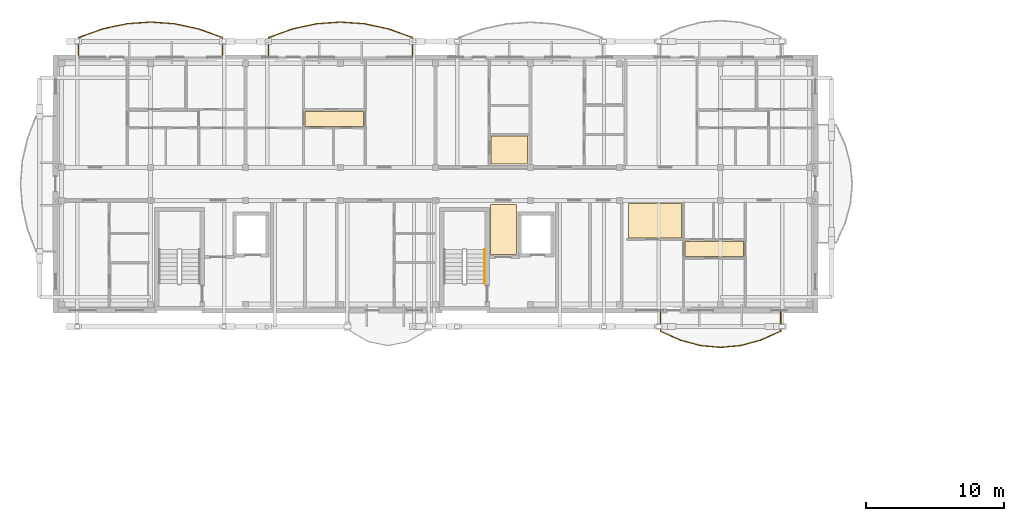
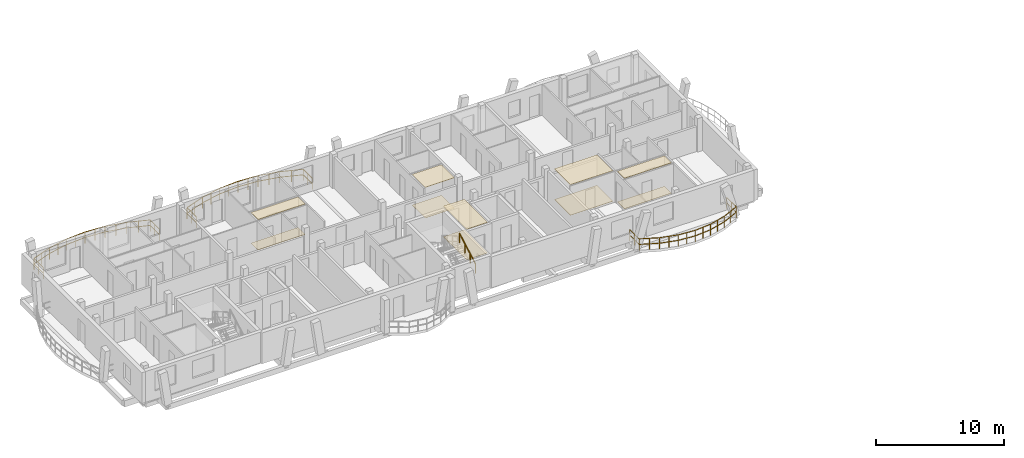
# One storey, part 44 of 52: 10 coverings, 4 railings.
"""IFC4 building model written with IfcOpenShell, lengths in metres."""

from ifc_helpers import new_model, si_unit, direction, frame, origin, origin_2d, place, context, subcontext, project, spatial, polyline, rectangle, outline, extrude, material, layer, layer_set, type_object, element, save


model = new_model("IFC4")

# Units and contexts
model_context = context("Model", 3, precision=1e-05, world=origin(), true_north=direction((0.0, 1.0)))
body_context = subcontext(model_context, "Body", "Model", "MODEL_VIEW")
ifc_project = project(units=[si_unit("LENGTHUNIT", "METRE"), si_unit("AREAUNIT", "SQUARE_METRE"), si_unit("VOLUMEUNIT", "CUBIC_METRE"), si_unit("PLANEANGLEUNIT", "RADIAN"), si_unit("MASSUNIT", "GRAM", prefix="KILO")], contexts=[model_context])

# Site, building, storey
site_placement = place(None, origin())
site = spatial("IfcSite", under=ifc_project, at=site_placement, CompositionType="ELEMENT")
building_placement = place(site_placement, origin())
building = spatial("IfcBuilding", under=site, at=building_placement, Name="Zavelmont Quarter", CompositionType="ELEMENT")
storey_placement = place(building_placement, frame((0.0, 0.0, 14.39990234375)))
storey = spatial("IfcBuildingStorey", under=building, at=storey_placement, Name="L04", CompositionType="ELEMENT", Elevation=14.39990234375)

# Coverings
ifc_material_1 = material(Name="Perforated acoustic gypsum board")
ifc_layer_1 = layer(ifc_material_1, 0.02490234375)
ifc_layer_set_1 = layer_set([ifc_layer_1], Name="Perforated acoustic gypsum board")
covering_type_1 = type_object("IfcCoveringType", Name="CV-CL01", PredefinedType="CEILING", material=ifc_layer_set_1)
covering_1_placement = place(storey_placement, frame((0.0, 0.0, 2.9150390625)))
element("IfcCovering", 1, at=covering_1_placement, inside=storey, type_object=covering_type_1, Name="L04 Lobby Vestibule acoustic ceiling", PredefinedType="CEILING", context=body_context, shape_type="SweptSolid", body=[
    extrude(outline(polyline([(31.580078125, 105.320068359375), (33.469970703125, 105.320068359375), (33.469970703125, 101.679931640625), (31.580078125, 101.679931640625), (31.580078125, 105.320068359375)])), origin(), (0.0, 0.0, 1.0), 0.025146484375),
])
covering_2_placement = place(storey_placement, frame((0.0, 0.0, 2.9150390625)))
element("IfcCovering", 2, at=covering_2_placement, inside=storey, type_object=covering_type_1, Name="L04 Kitchen acoustic ceiling", PredefinedType="CEILING", context=body_context, shape_type="SweptSolid", body=[
    extrude(outline(polyline([(31.6298828125, 110.27001953125), (34.27001953125, 110.27001953125), (34.27001953125, 108.264892578125), (34.235107421875, 108.264892578125), (34.235107421875, 108.22998046875), (31.6298828125, 108.22998046875), (31.6298828125, 110.27001953125)])), origin(), (0.0, 0.0, 1.0), 0.025146484375),
])
ifc_material_2 = material(Name="Slatted European ash acoustic baffle ceiling")
ifc_layer_2 = layer(ifc_material_2, 0.0400390625)
ifc_layer_set_2 = layer_set([ifc_layer_2], Name="Slatted European ash acoustic baffle ceiling")
covering_type_2 = type_object("IfcCoveringType", Name="CV-CL02", PredefinedType="CEILING", material=ifc_layer_set_2)
covering_3_placement = place(storey_placement, frame((0.0, 0.0, 2.900146484375)))
element("IfcCovering", 3, at=covering_3_placement, inside=storey, type_object=covering_type_2, Name="L04 Apartment Hall acoustic ceiling", PredefinedType="CEILING", context=body_context, shape_type="SweptSolid", body=[
    extrude(outline(polyline([(18.1298828125, 112.070068359375), (22.3701171875, 112.070068359375), (22.3701171875, 110.97998046875), (18.1298828125, 110.97998046875), (18.1298828125, 112.070068359375)])), origin(), (0.0, 0.0, 1.0), 0.0400390625),
])
covering_4_placement = place(storey_placement, frame((0.0, 0.0, 2.900146484375)))
element("IfcCovering", 4, at=covering_4_placement, inside=storey, type_object=covering_type_2, Name="L04 Apartment Hall acoustic ceiling", PredefinedType="CEILING", context=body_context, shape_type="SweptSolid", body=[
    extrude(outline(polyline([(45.72998046875, 102.6201171875), (49.969970703125, 102.6201171875), (49.969970703125, 101.530029296875), (45.72998046875, 101.530029296875), (45.72998046875, 102.6201171875)])), origin(), (0.0, 0.0, 1.0), 0.0400390625),
])
ifc_material_3 = material(Name="Moisture-resistant painted gypsum ceiling")
ifc_layer_3 = layer(ifc_material_3, 0.02001953125)
ifc_layer_set_3 = layer_set([ifc_layer_3], Name="Moisture-resistant painted gypsum ceiling")
covering_type_3 = type_object("IfcCoveringType", Name="CV-CL04", PredefinedType="CEILING", material=ifc_layer_set_3)
covering_5_placement = place(storey_placement, frame((0.0, 0.0, 2.920166015625)))
element("IfcCovering", 5, at=covering_5_placement, inside=storey, type_object=covering_type_3, Name="L04 Bathroom acoustic ceiling", PredefinedType="CEILING", context=body_context, shape_type="SweptSolid", body=[
    extrude(outline(polyline([(41.6298828125, 105.3701171875), (45.469970703125, 105.3701171875), (45.469970703125, 102.8798828125), (41.6298828125, 102.8798828125), (41.6298828125, 105.3701171875)])), origin(), (0.0, 0.0, 1.0), 0.02001953125),
])
ifc_material_4 = material(Name="Engineered European oak parquet")
ifc_layer_4 = layer(ifc_material_4, 0.02197265625)
ifc_layer_set_4 = layer_set([ifc_layer_4], Name="Engineered European oak parquet")
covering_type_4 = type_object("IfcCoveringType", Name="CV-FL01", PredefinedType="FLOORING", material=ifc_layer_set_4)
covering_6_placement = place(storey_placement, origin())
element("IfcCovering", 6, at=covering_6_placement, inside=storey, type_object=covering_type_4, Name="L04 Lobby Vestibule floor finish", PredefinedType="FLOORING", context=body_context, shape_type="SweptSolid", body=[
    extrude(outline(polyline([(31.580078125, 105.320068359375), (33.469970703125, 105.320068359375), (33.469970703125, 101.679931640625), (31.580078125, 101.679931640625), (31.580078125, 105.320068359375)])), origin(), (0.0, 0.0, 1.0), 0.022216796875),
])
covering_7_placement = place(storey_placement, origin())
element("IfcCovering", 7, at=covering_7_placement, inside=storey, type_object=covering_type_4, Name="L04 Kitchen floor finish", PredefinedType="FLOORING", context=body_context, shape_type="SweptSolid", body=[
    extrude(outline(polyline([(31.6298828125, 110.27001953125), (34.27001953125, 110.27001953125), (34.27001953125, 108.264892578125), (34.235107421875, 108.264892578125), (34.235107421875, 108.22998046875), (31.6298828125, 108.22998046875), (31.6298828125, 110.27001953125)])), origin(), (0.0, 0.0, 1.0), 0.022216796875),
])
ifc_material_5 = material(Name="Honed Belgian bluestone tile", Category="masonry")
ifc_layer_5 = layer(ifc_material_5, 0.030029296875)
ifc_layer_set_5 = layer_set([ifc_layer_5], Name="Honed Belgian bluestone tile")
covering_type_5 = type_object("IfcCoveringType", Name="CV-FL02", PredefinedType="FLOORING", material=ifc_layer_set_5)
covering_8_placement = place(storey_placement, origin())
element("IfcCovering", 8, at=covering_8_placement, inside=storey, type_object=covering_type_5, Name="L04 Apartment Hall floor finish", PredefinedType="FLOORING", context=body_context, shape_type="SweptSolid", body=[
    extrude(outline(polyline([(18.1298828125, 112.070068359375), (22.3701171875, 112.070068359375), (22.3701171875, 110.97998046875), (18.1298828125, 110.97998046875), (18.1298828125, 112.070068359375)])), origin(), (0.0, 0.0, 1.0), 0.030029296875),
])
covering_9_placement = place(storey_placement, origin())
element("IfcCovering", 9, at=covering_9_placement, inside=storey, type_object=covering_type_5, Name="L04 Apartment Hall floor finish", PredefinedType="FLOORING", context=body_context, shape_type="SweptSolid", body=[
    extrude(outline(polyline([(45.72998046875, 102.6201171875), (49.969970703125, 102.6201171875), (49.969970703125, 101.530029296875), (45.72998046875, 101.530029296875), (45.72998046875, 102.6201171875)])), origin(), (0.0, 0.0, 1.0), 0.030029296875),
])
ifc_material_6 = material(Name="Slip-resistant porcelain tile")
ifc_layer_6 = layer(ifc_material_6, 0.02587890625)
ifc_layer_set_6 = layer_set([ifc_layer_6], Name="Slip-resistant porcelain tile")
covering_type_6 = type_object("IfcCoveringType", Name="CV-FL04", PredefinedType="FLOORING", material=ifc_layer_set_6)
covering_10_placement = place(storey_placement, origin())
element("IfcCovering", 10, at=covering_10_placement, inside=storey, type_object=covering_type_6, Name="L04 Bathroom floor finish", PredefinedType="FLOORING", context=body_context, shape_type="SweptSolid", body=[
    extrude(outline(polyline([(41.6298828125, 105.3701171875), (45.469970703125, 105.3701171875), (45.469970703125, 102.8798828125), (41.6298828125, 102.8798828125), (41.6298828125, 105.3701171875)])), origin(), (0.0, 0.0, 1.0), 0.026123046875),
])

# Railings
ifc_material_7 = material(Name="Powder-coated steel and tempered double safety glass", Category="steel")
railing_type_1 = type_object("IfcRailingType", Name="RL-BAL1", PredefinedType="BALUSTRADE", material=ifc_material_7)
railing_1_placement = place(storey_placement, frame((12.134765625, 116.02001953125, 0.0)))
element("IfcRailing", 11, at=railing_1_placement, inside=storey, type_object=railing_type_1, Name="L04 Block B curved balcony guard RL-BAL1", PredefinedType="BALUSTRADE", context=body_context, shape_type="SweptSolid", body=[
    extrude(rectangle(XDim=0.048095703125, YDim=0.048095703125, at=origin_2d()), frame((0.0, 0.0, 1.076171875), z_axis=(0.0, 1.0, 0.0), x_axis=(-1.0, 0.0, 0.0)), (0.0, 0.0, 1.0), 1.414794921875),
    extrude(rectangle(XDim=0.048095703125, YDim=0.048095703125, at=origin_2d()), frame((0.0, 0.0, 0.550048828125), z_axis=(0.0, 1.0, 0.0), x_axis=(-1.0, 0.0, 0.0)), (0.0, 0.0, 1.0), 1.414794921875),
    extrude(rectangle(XDim=0.048095703125, YDim=0.048095703125, at=origin_2d()), frame((0.0, 1.414794921875, 1.076171875), z_axis=(-0.941219365727, 0.33779595258, 0.0), x_axis=(-0.33779595258, -0.941219365727, 0.0)), (0.0, 0.0, 1.0), 1.853759765625),
    extrude(rectangle(XDim=0.048095703125, YDim=0.048095703125, at=origin_2d()), frame((0.0, 1.414794921875, 0.550048828125), z_axis=(-0.941219365727, 0.33779595258, 0.0), x_axis=(-0.33779595258, -0.941219365727, 0.0)), (0.0, 0.0, 1.0), 1.853759765625),
    extrude(rectangle(XDim=0.048095703125, YDim=0.048095703125, at=origin_2d()), frame((-1.744873046875, 2.041015625, 1.076171875), z_axis=(-0.977591742597, 0.210509821164, 0.0), x_axis=(-0.210509821164, -0.977591742597, 0.0)), (0.0, 0.0, 1.0), 1.784912109375),
    extrude(rectangle(XDim=0.048095703125, YDim=0.048095703125, at=origin_2d()), frame((-1.744873046875, 2.041015625, 0.550048828125), z_axis=(-0.977591742597, 0.210509821164, 0.0), x_axis=(-0.210509821164, -0.977591742597, 0.0)), (0.0, 0.0, 1.0), 1.784912109375),
    extrude(rectangle(XDim=0.048095703125, YDim=0.048095703125, at=origin_2d()), frame((-3.48974609375, 2.416748046875, 1.076171875), z_axis=(-0.997434559737, 0.071584209449, 0.0), x_axis=(-0.071584209449, -0.997434559737, 0.0)), (0.0, 0.0, 1.0), 1.74951171875),
    extrude(rectangle(XDim=0.048095703125, YDim=0.048095703125, at=origin_2d()), frame((-3.48974609375, 2.416748046875, 0.550048828125), z_axis=(-0.997434559737, 0.071584209449, 0.0), x_axis=(-0.071584209449, -0.997434559737, 0.0)), (0.0, 0.0, 1.0), 1.74951171875),
    extrude(rectangle(XDim=0.048095703125, YDim=0.048095703125, at=origin_2d()), frame((-5.23486328125, 2.5419921875, 1.076171875), z_axis=(-0.997433844541, -0.071594174094, 0.0), x_axis=(0.071594174094, -0.997433844541, 0.0)), (0.0, 0.0, 1.0), 1.749267578125),
    extrude(rectangle(XDim=0.048095703125, YDim=0.048095703125, at=origin_2d()), frame((-5.23486328125, 2.5419921875, 0.550048828125), z_axis=(-0.997433844541, -0.071594174094, 0.0), x_axis=(0.071594174094, -0.997433844541, 0.0)), (0.0, 0.0, 1.0), 1.749267578125),
    extrude(rectangle(XDim=0.048095703125, YDim=0.048095703125, at=origin_2d()), frame((-6.979736328125, 2.416748046875, 1.076171875), z_axis=(-0.977591742597, -0.210509821164, 0.0), x_axis=(0.210509821164, -0.977591742597, 0.0)), (0.0, 0.0, 1.0), 1.784912109375),
    extrude(rectangle(XDim=0.048095703125, YDim=0.048095703125, at=origin_2d()), frame((-6.979736328125, 2.416748046875, 0.550048828125), z_axis=(-0.977591742597, -0.210509821164, 0.0), x_axis=(0.210509821164, -0.977591742597, 0.0)), (0.0, 0.0, 1.0), 1.784912109375),
    extrude(rectangle(XDim=0.048095703125, YDim=0.048095703125, at=origin_2d()), frame((-8.724609375, 2.041015625, 1.076171875), z_axis=(-0.941219365727, -0.33779595258, 0.0), x_axis=(0.33779595258, -0.941219365727, 0.0)), (0.0, 0.0, 1.0), 1.853759765625),
    extrude(rectangle(XDim=0.048095703125, YDim=0.048095703125, at=origin_2d()), frame((-8.724609375, 2.041015625, 0.550048828125), z_axis=(-0.941219365727, -0.33779595258, 0.0), x_axis=(0.33779595258, -0.941219365727, 0.0)), (0.0, 0.0, 1.0), 1.853759765625),
    extrude(rectangle(XDim=0.048095703125, YDim=0.048095703125, at=origin_2d()), frame((-10.469482421875, 1.414794921875, 1.076171875), z_axis=(0.0, -1.0, 0.0), x_axis=(1.0, 0.0, 0.0)), (0.0, 0.0, 1.0), 1.414794921875),
    extrude(rectangle(XDim=0.048095703125, YDim=0.048095703125, at=origin_2d()), frame((-10.469482421875, 1.414794921875, 0.550048828125), z_axis=(0.0, -1.0, 0.0), x_axis=(1.0, 0.0, 0.0)), (0.0, 0.0, 1.0), 1.414794921875),
    extrude(rectangle(XDim=0.0419921875, YDim=0.0419921875, at=origin_2d()), origin(), (0.0, 0.0, 1.0), 1.052001953125),
    extrude(rectangle(XDim=0.0419921875, YDim=0.0419921875, at=origin_2d()), frame((0.0, 0.70751953125, 0.0)), (0.0, 0.0, 1.0), 1.052001953125),
    extrude(rectangle(XDim=0.0419921875, YDim=0.0419921875, at=origin_2d()), frame((0.0, 1.414794921875, 0.0)), (0.0, 0.0, 1.0), 1.052001953125),
    extrude(rectangle(XDim=0.0419921875, YDim=0.0419921875, at=origin_2d()), frame((-0.87255859375, 1.72802734375, 0.0)), (0.0, 0.0, 1.0), 1.052001953125),
    extrude(rectangle(XDim=0.0419921875, YDim=0.0419921875, at=origin_2d()), frame((-1.744873046875, 2.041015625, 0.0)), (0.0, 0.0, 1.0), 1.052001953125),
    extrude(rectangle(XDim=0.0419921875, YDim=0.0419921875, at=origin_2d()), frame((-2.6171875, 2.22900390625, 0.0)), (0.0, 0.0, 1.0), 1.052001953125),
    extrude(rectangle(XDim=0.0419921875, YDim=0.0419921875, at=origin_2d()), frame((-3.48974609375, 2.416748046875, 0.0)), (0.0, 0.0, 1.0), 1.052001953125),
    extrude(rectangle(XDim=0.0419921875, YDim=0.0419921875, at=origin_2d()), frame((-4.3623046875, 2.4794921875, 0.0)), (0.0, 0.0, 1.0), 1.052001953125),
    extrude(rectangle(XDim=0.0419921875, YDim=0.0419921875, at=origin_2d()), frame((-5.23486328125, 2.5419921875, 0.0)), (0.0, 0.0, 1.0), 1.052001953125),
    extrude(rectangle(XDim=0.0419921875, YDim=0.0419921875, at=origin_2d()), frame((-6.107421875, 2.4794921875, 0.0)), (0.0, 0.0, 1.0), 1.052001953125),
    extrude(rectangle(XDim=0.0419921875, YDim=0.0419921875, at=origin_2d()), frame((-6.979736328125, 2.416748046875, 0.0)), (0.0, 0.0, 1.0), 1.052001953125),
    extrude(rectangle(XDim=0.0419921875, YDim=0.0419921875, at=origin_2d()), frame((-7.85205078125, 2.22900390625, 0.0)), (0.0, 0.0, 1.0), 1.052001953125),
    extrude(rectangle(XDim=0.0419921875, YDim=0.0419921875, at=origin_2d()), frame((-8.724609375, 2.041015625, 0.0)), (0.0, 0.0, 1.0), 1.052001953125),
    extrude(rectangle(XDim=0.0419921875, YDim=0.0419921875, at=origin_2d()), frame((-9.59716796875, 1.72802734375, 0.0)), (0.0, 0.0, 1.0), 1.052001953125),
    extrude(rectangle(XDim=0.0419921875, YDim=0.0419921875, at=origin_2d()), frame((-10.469482421875, 1.414794921875, 0.0)), (0.0, 0.0, 1.0), 1.052001953125),
    extrude(rectangle(XDim=0.0419921875, YDim=0.0419921875, at=origin_2d()), frame((-10.469482421875, 0.70751953125, 0.0)), (0.0, 0.0, 1.0), 1.052001953125),
    extrude(rectangle(XDim=0.0419921875, YDim=0.0419921875, at=origin_2d()), frame((-10.469482421875, 0.0, 0.0)), (0.0, 0.0, 1.0), 1.052001953125),
])
railing_2_placement = place(storey_placement, frame((25.934814453125, 116.02001953125, 0.0)))
element("IfcRailing", 12, at=railing_2_placement, inside=storey, type_object=railing_type_1, Name="L04 Block B curved balcony guard RL-BAL1", PredefinedType="BALUSTRADE", context=body_context, shape_type="SweptSolid", body=[
    extrude(rectangle(XDim=0.048095703125, YDim=0.048095703125, at=origin_2d()), frame((0.0, 0.0, 1.076171875), z_axis=(0.0, 1.0, 0.0), x_axis=(-1.0, 0.0, 0.0)), (0.0, 0.0, 1.0), 1.414794921875),
    extrude(rectangle(XDim=0.048095703125, YDim=0.048095703125, at=origin_2d()), frame((0.0, 0.0, 0.550048828125), z_axis=(0.0, 1.0, 0.0), x_axis=(-1.0, 0.0, 0.0)), (0.0, 0.0, 1.0), 1.414794921875),
    extrude(rectangle(XDim=0.048095703125, YDim=0.048095703125, at=origin_2d()), frame((0.0, 1.414794921875, 1.076171875), z_axis=(-0.941234390061, 0.337754086529, 0.0), x_axis=(-0.337754086529, -0.941234390061, 0.0)), (0.0, 0.0, 1.0), 1.85400390625),
    extrude(rectangle(XDim=0.048095703125, YDim=0.048095703125, at=origin_2d()), frame((0.0, 1.414794921875, 0.550048828125), z_axis=(-0.941234390061, 0.337754086529, 0.0), x_axis=(-0.337754086529, -0.941234390061, 0.0)), (0.0, 0.0, 1.0), 1.85400390625),
    extrude(rectangle(XDim=0.048095703125, YDim=0.048095703125, at=origin_2d()), frame((-1.7451171875, 2.041015625, 1.076171875), z_axis=(-0.977591742597, 0.210509821164, 0.0), x_axis=(-0.210509821164, -0.977591742597, 0.0)), (0.0, 0.0, 1.0), 1.784912109375),
    extrude(rectangle(XDim=0.048095703125, YDim=0.048095703125, at=origin_2d()), frame((-1.7451171875, 2.041015625, 0.550048828125), z_axis=(-0.977591742597, 0.210509821164, 0.0), x_axis=(-0.210509821164, -0.977591742597, 0.0)), (0.0, 0.0, 1.0), 1.784912109375),
    extrude(rectangle(XDim=0.048095703125, YDim=0.048095703125, at=origin_2d()), frame((-3.489990234375, 2.416748046875, 1.076171875), z_axis=(-0.997433844541, 0.071594174094, 0.0), x_axis=(-0.071594174094, -0.997433844541, 0.0)), (0.0, 0.0, 1.0), 1.749267578125),
    extrude(rectangle(XDim=0.048095703125, YDim=0.048095703125, at=origin_2d()), frame((-3.489990234375, 2.416748046875, 0.550048828125), z_axis=(-0.997433844541, 0.071594174094, 0.0), x_axis=(-0.071594174094, -0.997433844541, 0.0)), (0.0, 0.0, 1.0), 1.749267578125),
    extrude(rectangle(XDim=0.048095703125, YDim=0.048095703125, at=origin_2d()), frame((-5.23486328125, 2.5419921875, 1.076171875), z_axis=(-0.997433844541, -0.071594174094, 0.0), x_axis=(0.071594174094, -0.997433844541, 0.0)), (0.0, 0.0, 1.0), 1.749267578125),
    extrude(rectangle(XDim=0.048095703125, YDim=0.048095703125, at=origin_2d()), frame((-5.23486328125, 2.5419921875, 0.550048828125), z_axis=(-0.997433844541, -0.071594174094, 0.0), x_axis=(0.071594174094, -0.997433844541, 0.0)), (0.0, 0.0, 1.0), 1.749267578125),
    extrude(rectangle(XDim=0.048095703125, YDim=0.048095703125, at=origin_2d()), frame((-6.979736328125, 2.416748046875, 1.076171875), z_axis=(-0.977591742597, -0.210509821164, 0.0), x_axis=(0.210509821164, -0.977591742597, 0.0)), (0.0, 0.0, 1.0), 1.784912109375),
    extrude(rectangle(XDim=0.048095703125, YDim=0.048095703125, at=origin_2d()), frame((-6.979736328125, 2.416748046875, 0.550048828125), z_axis=(-0.977591742597, -0.210509821164, 0.0), x_axis=(0.210509821164, -0.977591742597, 0.0)), (0.0, 0.0, 1.0), 1.784912109375),
    extrude(rectangle(XDim=0.048095703125, YDim=0.048095703125, at=origin_2d()), frame((-8.724609375, 2.041015625, 1.076171875), z_axis=(-0.941219365727, -0.33779595258, 0.0), x_axis=(0.33779595258, -0.941219365727, 0.0)), (0.0, 0.0, 1.0), 1.853759765625),
    extrude(rectangle(XDim=0.048095703125, YDim=0.048095703125, at=origin_2d()), frame((-8.724609375, 2.041015625, 0.550048828125), z_axis=(-0.941219365727, -0.33779595258, 0.0), x_axis=(0.33779595258, -0.941219365727, 0.0)), (0.0, 0.0, 1.0), 1.853759765625),
    extrude(rectangle(XDim=0.048095703125, YDim=0.048095703125, at=origin_2d()), frame((-10.469482421875, 1.414794921875, 1.076171875), z_axis=(0.0, -1.0, 0.0), x_axis=(1.0, 0.0, 0.0)), (0.0, 0.0, 1.0), 1.414794921875),
    extrude(rectangle(XDim=0.048095703125, YDim=0.048095703125, at=origin_2d()), frame((-10.469482421875, 1.414794921875, 0.550048828125), z_axis=(0.0, -1.0, 0.0), x_axis=(1.0, 0.0, 0.0)), (0.0, 0.0, 1.0), 1.414794921875),
    extrude(rectangle(XDim=0.0419921875, YDim=0.0419921875, at=origin_2d()), origin(), (0.0, 0.0, 1.0), 1.052001953125),
    extrude(rectangle(XDim=0.0419921875, YDim=0.0419921875, at=origin_2d()), frame((0.0, 0.70751953125, 0.0)), (0.0, 0.0, 1.0), 1.052001953125),
    extrude(rectangle(XDim=0.0419921875, YDim=0.0419921875, at=origin_2d()), frame((0.0, 1.414794921875, 0.0)), (0.0, 0.0, 1.0), 1.052001953125),
    extrude(rectangle(XDim=0.0419921875, YDim=0.0419921875, at=origin_2d()), frame((-0.87255859375, 1.72802734375, 0.0)), (0.0, 0.0, 1.0), 1.052001953125),
    extrude(rectangle(XDim=0.0419921875, YDim=0.0419921875, at=origin_2d()), frame((-1.7451171875, 2.041015625, 0.0)), (0.0, 0.0, 1.0), 1.052001953125),
    extrude(rectangle(XDim=0.0419921875, YDim=0.0419921875, at=origin_2d()), frame((-2.61767578125, 2.22900390625, 0.0)), (0.0, 0.0, 1.0), 1.052001953125),
    extrude(rectangle(XDim=0.0419921875, YDim=0.0419921875, at=origin_2d()), frame((-3.489990234375, 2.416748046875, 0.0)), (0.0, 0.0, 1.0), 1.052001953125),
    extrude(rectangle(XDim=0.0419921875, YDim=0.0419921875, at=origin_2d()), frame((-4.3623046875, 2.4794921875, 0.0)), (0.0, 0.0, 1.0), 1.052001953125),
    extrude(rectangle(XDim=0.0419921875, YDim=0.0419921875, at=origin_2d()), frame((-5.23486328125, 2.5419921875, 0.0)), (0.0, 0.0, 1.0), 1.052001953125),
    extrude(rectangle(XDim=0.0419921875, YDim=0.0419921875, at=origin_2d()), frame((-6.107421875, 2.4794921875, 0.0)), (0.0, 0.0, 1.0), 1.052001953125),
    extrude(rectangle(XDim=0.0419921875, YDim=0.0419921875, at=origin_2d()), frame((-6.979736328125, 2.416748046875, 0.0)), (0.0, 0.0, 1.0), 1.052001953125),
    extrude(rectangle(XDim=0.0419921875, YDim=0.0419921875, at=origin_2d()), frame((-7.85205078125, 2.22900390625, 0.0)), (0.0, 0.0, 1.0), 1.052001953125),
    extrude(rectangle(XDim=0.0419921875, YDim=0.0419921875, at=origin_2d()), frame((-8.724609375, 2.041015625, 0.0)), (0.0, 0.0, 1.0), 1.052001953125),
    extrude(rectangle(XDim=0.0419921875, YDim=0.0419921875, at=origin_2d()), frame((-9.59716796875, 1.72802734375, 0.0)), (0.0, 0.0, 1.0), 1.052001953125),
    extrude(rectangle(XDim=0.0419921875, YDim=0.0419921875, at=origin_2d()), frame((-10.469482421875, 1.414794921875, 0.0)), (0.0, 0.0, 1.0), 1.052001953125),
    extrude(rectangle(XDim=0.0419921875, YDim=0.0419921875, at=origin_2d()), frame((-10.469482421875, 0.70751953125, 0.0)), (0.0, 0.0, 1.0), 1.052001953125),
    extrude(rectangle(XDim=0.0419921875, YDim=0.0419921875, at=origin_2d()), frame((-10.469482421875, 0.0, 0.0)), (0.0, 0.0, 1.0), 1.052001953125),
])
railing_3_placement = place(storey_placement, frame((43.927978515625, 97.580078125, 0.0)))
element("IfcRailing", 13, at=railing_3_placement, inside=storey, type_object=railing_type_1, Name="L04 Block B curved balcony guard RL-BAL1", PredefinedType="BALUSTRADE", context=body_context, shape_type="SweptSolid", body=[
    extrude(rectangle(XDim=0.048095703125, YDim=0.048095703125, at=origin_2d()), frame((0.0, 0.0, 1.076171875), z_axis=(0.0, -1.0, 0.0), x_axis=(1.0, 0.0, 0.0)), (0.0, 0.0, 1.0), 1.4814453125),
    extrude(rectangle(XDim=0.048095703125, YDim=0.048095703125, at=origin_2d()), frame((0.0, 0.0, 0.550048828125), z_axis=(0.0, -1.0, 0.0), x_axis=(1.0, 0.0, 0.0)), (0.0, 0.0, 1.0), 1.4814453125),
    extrude(rectangle(XDim=0.048095703125, YDim=0.048095703125, at=origin_2d()), frame((0.0, -1.4814453125, 1.076171875), z_axis=(0.912038685612, -0.410104176945, 0.0), x_axis=(0.410104176945, 0.912038685612, 0.0)), (0.0, 0.0, 1.0), 1.597900390625),
    extrude(rectangle(XDim=0.048095703125, YDim=0.048095703125, at=origin_2d()), frame((0.0, -1.4814453125, 0.550048828125), z_axis=(0.912038685612, -0.410104176945, 0.0), x_axis=(0.410104176945, 0.912038685612, 0.0)), (0.0, 0.0, 1.0), 1.597900390625),
    extrude(rectangle(XDim=0.048095703125, YDim=0.048095703125, at=origin_2d()), frame((1.457275390625, -2.13671875, 1.076171875), z_axis=(0.965465700719, -0.260530191601, 0.0), x_axis=(0.260530191601, 0.965465700719, 0.0)), (0.0, 0.0, 1.0), 1.509765625),
    extrude(rectangle(XDim=0.048095703125, YDim=0.048095703125, at=origin_2d()), frame((1.457275390625, -2.13671875, 0.550048828125), z_axis=(0.965465700719, -0.260530191601, 0.0), x_axis=(0.260530191601, 0.965465700719, 0.0)), (0.0, 0.0, 1.0), 1.509765625),
    extrude(rectangle(XDim=0.048095703125, YDim=0.048095703125, at=origin_2d()), frame((2.914794921875, -2.530029296875, 1.076171875), z_axis=(0.995977566521, -0.089602940731, 0.0), x_axis=(0.089602940731, 0.995977566521, 0.0)), (0.0, 0.0, 1.0), 1.463134765625),
    extrude(rectangle(XDim=0.048095703125, YDim=0.048095703125, at=origin_2d()), frame((2.914794921875, -2.530029296875, 0.550048828125), z_axis=(0.995977566521, -0.089602940731, 0.0), x_axis=(0.089602940731, 0.995977566521, 0.0)), (0.0, 0.0, 1.0), 1.463134765625),
    extrude(rectangle(XDim=0.048095703125, YDim=0.048095703125, at=origin_2d()), frame((4.3720703125, -2.6611328125, 1.076171875), z_axis=(0.995977566521, 0.089602940731, 0.0), x_axis=(-0.089602940731, 0.995977566521, 0.0)), (0.0, 0.0, 1.0), 1.463134765625),
    extrude(rectangle(XDim=0.048095703125, YDim=0.048095703125, at=origin_2d()), frame((4.3720703125, -2.6611328125, 0.550048828125), z_axis=(0.995977566521, 0.089602940731, 0.0), x_axis=(-0.089602940731, 0.995977566521, 0.0)), (0.0, 0.0, 1.0), 1.463134765625),
    extrude(rectangle(XDim=0.048095703125, YDim=0.048095703125, at=origin_2d()), frame((5.829345703125, -2.530029296875, 1.076171875), z_axis=(0.965454721275, 0.260570875519, 0.0), x_axis=(-0.260570875519, 0.965454721275, 0.0)), (0.0, 0.0, 1.0), 1.509521484375),
    extrude(rectangle(XDim=0.048095703125, YDim=0.048095703125, at=origin_2d()), frame((5.829345703125, -2.530029296875, 0.550048828125), z_axis=(0.965454721275, 0.260570875519, 0.0), x_axis=(-0.260570875519, 0.965454721275, 0.0)), (0.0, 0.0, 1.0), 1.509521484375),
    extrude(rectangle(XDim=0.048095703125, YDim=0.048095703125, at=origin_2d()), frame((7.28662109375, -2.13671875, 1.076171875), z_axis=(0.912064378285, 0.410047033721, 0.0), x_axis=(-0.410047033721, 0.912064378285, 0.0)), (0.0, 0.0, 1.0), 1.59814453125),
    extrude(rectangle(XDim=0.048095703125, YDim=0.048095703125, at=origin_2d()), frame((7.28662109375, -2.13671875, 0.550048828125), z_axis=(0.912064378285, 0.410047033721, 0.0), x_axis=(-0.410047033721, 0.912064378285, 0.0)), (0.0, 0.0, 1.0), 1.59814453125),
    extrude(rectangle(XDim=0.048095703125, YDim=0.048095703125, at=origin_2d()), frame((8.744140625, -1.4814453125, 1.076171875), z_axis=(0.0, 1.0, 0.0), x_axis=(-1.0, 0.0, 0.0)), (0.0, 0.0, 1.0), 1.4814453125),
    extrude(rectangle(XDim=0.048095703125, YDim=0.048095703125, at=origin_2d()), frame((8.744140625, -1.4814453125, 0.550048828125), z_axis=(0.0, 1.0, 0.0), x_axis=(-1.0, 0.0, 0.0)), (0.0, 0.0, 1.0), 1.4814453125),
    extrude(rectangle(XDim=0.0419921875, YDim=0.0419921875, at=origin_2d()), origin(), (0.0, 0.0, 1.0), 1.052001953125),
    extrude(rectangle(XDim=0.0419921875, YDim=0.0419921875, at=origin_2d()), frame((0.0, -0.74072265625, 0.0)), (0.0, 0.0, 1.0), 1.052001953125),
    extrude(rectangle(XDim=0.0419921875, YDim=0.0419921875, at=origin_2d()), frame((0.0, -1.4814453125, 0.0)), (0.0, 0.0, 1.0), 1.052001953125),
    extrude(rectangle(XDim=0.0419921875, YDim=0.0419921875, at=origin_2d()), frame((0.728515625, -1.80908203125, 0.0)), (0.0, 0.0, 1.0), 1.052001953125),
    extrude(rectangle(XDim=0.0419921875, YDim=0.0419921875, at=origin_2d()), frame((1.457275390625, -2.13671875, 0.0)), (0.0, 0.0, 1.0), 1.052001953125),
    extrude(rectangle(XDim=0.0419921875, YDim=0.0419921875, at=origin_2d()), frame((2.18603515625, -2.33349609375, 0.0)), (0.0, 0.0, 1.0), 1.052001953125),
    extrude(rectangle(XDim=0.0419921875, YDim=0.0419921875, at=origin_2d()), frame((2.914794921875, -2.530029296875, 0.0)), (0.0, 0.0, 1.0), 1.052001953125),
    extrude(rectangle(XDim=0.0419921875, YDim=0.0419921875, at=origin_2d()), frame((3.6435546875, -2.595703125, 0.0)), (0.0, 0.0, 1.0), 1.052001953125),
    extrude(rectangle(XDim=0.0419921875, YDim=0.0419921875, at=origin_2d()), frame((4.3720703125, -2.6611328125, 0.0)), (0.0, 0.0, 1.0), 1.052001953125),
    extrude(rectangle(XDim=0.0419921875, YDim=0.0419921875, at=origin_2d()), frame((5.1005859375, -2.595703125, 0.0)), (0.0, 0.0, 1.0), 1.052001953125),
    extrude(rectangle(XDim=0.0419921875, YDim=0.0419921875, at=origin_2d()), frame((5.829345703125, -2.530029296875, 0.0)), (0.0, 0.0, 1.0), 1.052001953125),
    extrude(rectangle(XDim=0.0419921875, YDim=0.0419921875, at=origin_2d()), frame((6.55810546875, -2.33349609375, 0.0)), (0.0, 0.0, 1.0), 1.052001953125),
    extrude(rectangle(XDim=0.0419921875, YDim=0.0419921875, at=origin_2d()), frame((7.28662109375, -2.13671875, 0.0)), (0.0, 0.0, 1.0), 1.052001953125),
    extrude(rectangle(XDim=0.0419921875, YDim=0.0419921875, at=origin_2d()), frame((8.015380859375, -1.80908203125, 0.0)), (0.0, 0.0, 1.0), 1.052001953125),
    extrude(rectangle(XDim=0.0419921875, YDim=0.0419921875, at=origin_2d()), frame((8.744140625, -1.4814453125, 0.0)), (0.0, 0.0, 1.0), 1.052001953125),
    extrude(rectangle(XDim=0.0419921875, YDim=0.0419921875, at=origin_2d()), frame((8.744140625, -0.74072265625, 0.0)), (0.0, 0.0, 1.0), 1.052001953125),
    extrude(rectangle(XDim=0.0419921875, YDim=0.0419921875, at=origin_2d()), frame((8.744140625, 0.0, 0.0)), (0.0, 0.0, 1.0), 1.052001953125),
])
ifc_material_8 = material(Name="Brushed stainless-steel wall handrail", Category="steel")
railing_type_2 = type_object("IfcRailingType", Name="RL-HND1", PredefinedType="HANDRAIL", material=ifc_material_8)
railing_4_placement = place(storey_placement, frame((31.14990234375, 99.550048828125, 0.177978515625)))
element("IfcRailing", 14, at=railing_4_placement, inside=storey, type_object=railing_type_2, Name="L04 ST04 stair handrail 1", PredefinedType="HANDRAIL", context=body_context, shape_type="SweptSolid", body=[
    extrude(rectangle(XDim=0.048095703125, YDim=0.048095703125, at=origin_2d()), frame((0.0, 0.0, 0.8759765625), z_axis=(0.0, 0.867490628297, 0.497453525283), x_axis=(-1.0, 0.0, 0.0)), (0.0, 0.0, 1.0), 2.85888671875),
    extrude(rectangle(XDim=0.0419921875, YDim=0.0419921875, at=origin_2d()), origin(), (0.0, 0.0, 1.0), 0.851806640625),
    extrude(rectangle(XDim=0.0419921875, YDim=0.0419921875, at=origin_2d()), frame((0.0, 0.82666015625, 0.47412109375)), (0.0, 0.0, 1.0), 0.851806640625),
    extrude(rectangle(XDim=0.0419921875, YDim=0.0419921875, at=origin_2d()), frame((0.0, 1.6533203125, 0.947998046875)), (0.0, 0.0, 1.0), 0.851806640625),
    extrude(rectangle(XDim=0.0419921875, YDim=0.0419921875, at=origin_2d()), frame((0.0, 2.47998046875, 1.422119140625)), (0.0, 0.0, 1.0), 0.851806640625),
])

save(model, "model.ifc")
